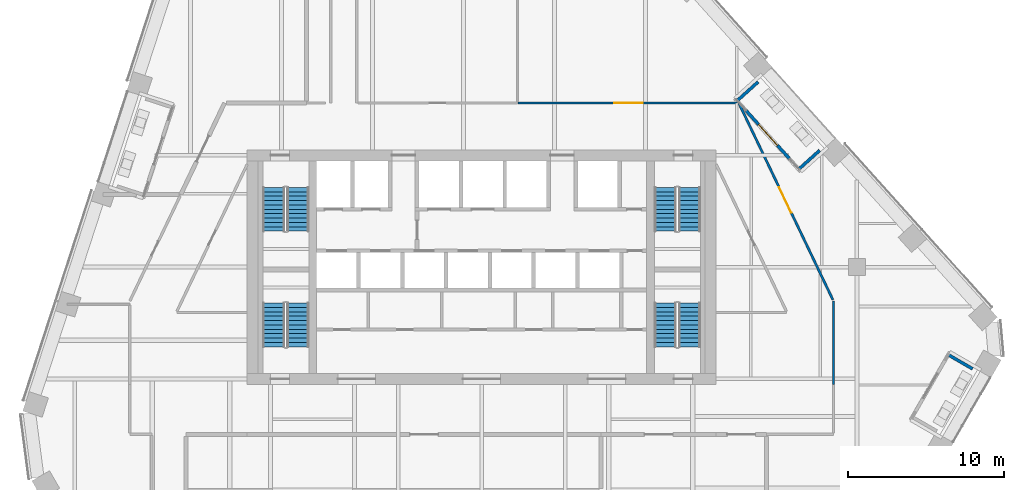
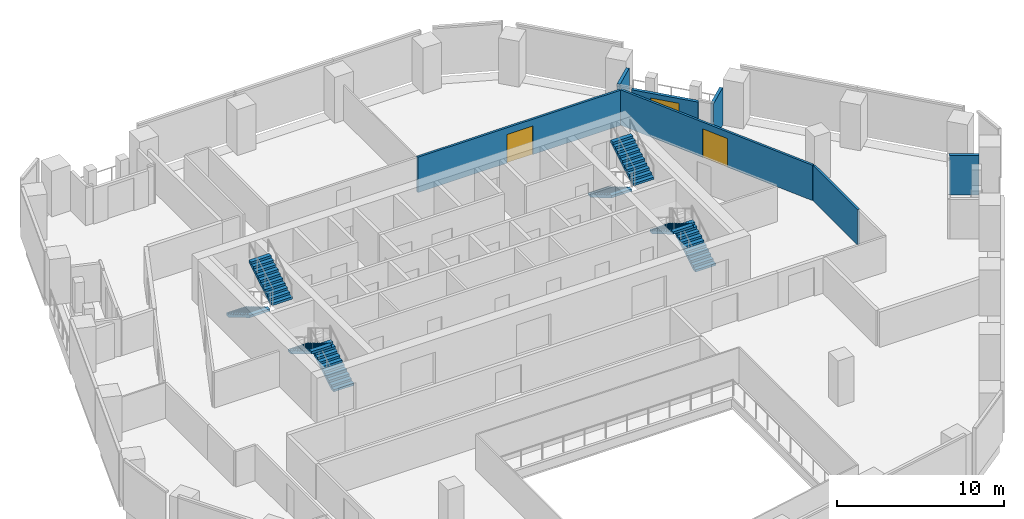
# One storey, part 22 of 26: 8 stair flights, 7 walls, 3 doors, 3 openings, 4 elements without a shape of their own.
"""IFC4 building model written with IfcOpenShell, lengths in metres."""

import ifcopenshell
import ifcopenshell.guid

model = None  # the IFC model being written
_history = None  # IfcOwnerHistory: only IFC2X3 demands one
_inside = {}  # id of a spatial element -> (the spatial element, [elements in it])
_under = {}  # id of a project, library or spatial element -> (it, [spatial elements below it])
_declared = {}  # id of a project -> (the project, [libraries it declares])
_typed = {}  # id of a type object -> (the type object, [elements of that type])
_made_of = {}  # id of a material, layer set ... -> (it, [elements and type objects made of it])


def new_model(schema):
    """Start an empty IFC model of exactly this schema.

    Asked for "IFC4X3", IfcOpenShell would pick the latest addendum, in which some entities
    have other attributes; the version numbers below select the first issue.
    IFC2X3 requires an IfcOwnerHistory on every rooted entity: one is made here for all.
    """
    global model, _history
    if schema == "IFC4X3":
        model = ifcopenshell.file(schema_version=(4, 3, 0, 0))
    else:
        model = ifcopenshell.file(schema=schema)
    _inside.clear()
    _under.clear()
    _declared.clear()
    _typed.clear()
    _made_of.clear()
    _history = None
    if model.schema == "IFC2X3":
        org = make("IfcOrganization", Name="unknown")
        user = make(
            "IfcPersonAndOrganization",
            ThePerson=make("IfcPerson", FamilyName="unknown"),
            TheOrganization=org,
        )
        app = make(
            "IfcApplication",
            ApplicationDeveloper=org,
            Version="unknown",
            ApplicationFullName="unknown",
            ApplicationIdentifier="unknown",
        )
        _history = make(
            "IfcOwnerHistory",
            OwningUser=user,
            OwningApplication=app,
            ChangeAction="ADDED",
            CreationDate=0,
        )
    return model


def make(cls, **values):
    """One entity of the class cls with the attributes given. An attribute that is None is left unset."""
    return model.create_entity(
        cls, **{name: value for name, value in values.items() if value is not None}
    )


def rooted(cls, **values):
    """An entity with a GlobalId (a new one), such as an element, a storey or a relation."""
    return make(cls, GlobalId=ifcopenshell.guid.new(), OwnerHistory=_history, **values)


def si_unit(unit_type, name, prefix=None):
    """IfcSIUnit, for example si_unit("LENGTHUNIT", "METRE", prefix="MILLI")."""
    return make("IfcSIUnit", UnitType=unit_type, Prefix=prefix, Name=name)


def assignment(units):
    """IfcUnitAssignment: the units of a project."""
    return None if units is None else make("IfcUnitAssignment", Units=units)


def point(xyz):
    """IfcCartesianPoint."""
    return None if xyz is None else make("IfcCartesianPoint", Coordinates=xyz)


def direction(xyz):
    """IfcDirection."""
    return None if xyz is None else make("IfcDirection", DirectionRatios=xyz)


def frame(location, z_axis=None, x_axis=None):
    """IfcAxis2Placement3D, a coordinate frame: its origin and axes. An axis left out is left unset."""
    return make(
        "IfcAxis2Placement3D",
        Location=point(location),
        Axis=direction(z_axis),
        RefDirection=direction(x_axis),
    )


def frame_2d(location, x_axis=None):
    """IfcAxis2Placement2D, a coordinate frame in the plane: its origin and x axis."""
    return make(
        "IfcAxis2Placement2D", Location=point(location), RefDirection=direction(x_axis)
    )


def origin():
    """The frame at (0, 0, 0) with its axes left unset."""
    return frame((0.0, 0.0, 0.0))


def place(relative_to, where):
    """IfcLocalPlacement: puts the frame where relative to a parent placement (None: the world)."""
    return make(
        "IfcLocalPlacement", PlacementRelTo=relative_to, RelativePlacement=where
    )


def context(
    kind, dimensions, precision=None, world=None, true_north=None, identifier=None
):
    """IfcGeometricRepresentationContext, for example the 3D "Model" context."""
    return make(
        "IfcGeometricRepresentationContext",
        ContextIdentifier=identifier,
        ContextType=kind,
        CoordinateSpaceDimension=dimensions,
        Precision=precision,
        WorldCoordinateSystem=world,
        TrueNorth=true_north,
    )


def subcontext(parent, identifier, kind, view, scale=None):
    """IfcGeometricRepresentationSubContext, for example "Body" below "Model"."""
    return make(
        "IfcGeometricRepresentationSubContext",
        ContextIdentifier=identifier,
        ContextType=kind,
        ParentContext=parent,
        TargetScale=scale,
        TargetView=view,
    )


def project(units=None, contexts=None):
    """IfcProject with its units and contexts."""
    return rooted(
        "IfcProject",
        Name="project",
        RepresentationContexts=contexts,
        UnitsInContext=assignment(units),
    )


def spatial(cls, under=None, at=None, **own):
    """A site, building, storey or space (cls), placed at a placement, below another one or the project."""
    s = rooted(cls, ObjectPlacement=at, **own)
    if under is not None:
        _under.setdefault(under.id(), (under, []))[1].append(s)
    return s


def polyline(points):
    """IfcPolyline through the points."""
    return make("IfcPolyline", Points=[point(p) for p in points])


def profile(cls, at=None, kind="AREA", **sizes):
    """A parametric profile (cls). Its sizes go by their IFC names, for example OverallWidth=200.0."""
    return make(cls, ProfileType=kind, Position=at, **sizes)


def rectangle(**sizes):
    """IfcRectangleProfileDef."""
    return profile("IfcRectangleProfileDef", **sizes)


def outline(outer, holes=None, kind="AREA"):
    """IfcArbitraryClosedProfileDef: a profile drawn as a closed curve; with holes, ...WithVoids."""
    if holes is None:
        return make("IfcArbitraryClosedProfileDef", ProfileType=kind, OuterCurve=outer)
    return make(
        "IfcArbitraryProfileDefWithVoids",
        ProfileType=kind,
        OuterCurve=outer,
        InnerCurves=holes,
    )


def extrude(swept, where, along, depth):
    """IfcExtrudedAreaSolid: the profile swept, set in the frame where, extruded along a direction by depth."""
    return make(
        "IfcExtrudedAreaSolid",
        SweptArea=swept,
        Position=where,
        ExtrudedDirection=direction(along),
        Depth=depth,
    )


def shape(context_of_items, identifier, shape_type, items):
    """IfcShapeRepresentation: the items that make up one representation, for example the "Body"."""
    return make(
        "IfcShapeRepresentation",
        ContextOfItems=context_of_items,
        RepresentationIdentifier=identifier,
        RepresentationType=shape_type,
        Items=items,
    )


def material(Name=None, Category=None):
    """IfcMaterial."""
    return make("IfcMaterial", Name=Name, Category=Category)


def layer(
    of_material, thickness, ventilated=None, Name=None, Category=None, Priority=None
):
    """IfcMaterialLayer: one layer of a wall or slab, of a material (None: an air gap)."""
    return make(
        "IfcMaterialLayer",
        Material=of_material,
        LayerThickness=thickness,
        IsVentilated=ventilated,
        Name=Name,
        Category=Category,
        Priority=Priority,
    )


def layer_set(layers, Name=None):
    """IfcMaterialLayerSet."""
    return make("IfcMaterialLayerSet", MaterialLayers=layers, LayerSetName=Name)


def made_of(thing, what):
    """Note that an element or type object is made of a material, layer set ...; save() writes the relation."""
    if what is not None:
        _made_of.setdefault(what.id(), (what, []))[1].append(thing)
    return thing


def type_object(cls, material=None, **own):
    """A type object (cls), such as IfcWallType, which elements share."""
    return made_of(rooted(cls, **own), material)


def element(
    cls,
    number,
    at=None,
    inside=None,
    cuts=None,
    type_object=None,
    material=None,
    context=None,
    identifier="Body",
    shape_type=None,
    held_by="IfcProductDefinitionShape",
    body=None,
    shapes=None,
    **own,
):
    """One element of the class cls, such as IfcWall. Its Tag is "e" and its number.

    at: its placement. inside: the storey or other place that contains it. cuts: it is an
    opening in that element (IfcRelVoidsElement). A single representation is given by context,
    identifier, shape_type and body (its items); several are given by shapes. held_by: the class
    of the entity that holds the representations. save() writes the other relations.
    """
    e = rooted(cls, Tag="e%d" % number, ObjectPlacement=at, **own)
    if body is not None:
        shapes = [shape(context, identifier, shape_type, body)]
    if shapes is not None:
        e.Representation = make(held_by, Representations=shapes)
    if inside is not None:
        _inside.setdefault(inside.id(), (inside, []))[1].append(e)
    if cuts is not None:
        rooted(
            "IfcRelVoidsElement", RelatingBuildingElement=cuts, RelatedOpeningElement=e
        )
    if type_object is not None:
        _typed.setdefault(type_object.id(), (type_object, []))[1].append(e)
    return made_of(e, material)


def fill(opening, filler):
    """IfcRelFillsElement: the door or window that sits in an opening."""
    return rooted(
        "IfcRelFillsElement",
        RelatingOpeningElement=opening,
        RelatedBuildingElement=filler,
    )


def aggregate(whole, parts):
    """IfcRelAggregates: a whole, such as a stair, and the parts it consists of."""
    return rooted("IfcRelAggregates", RelatingObject=whole, RelatedObjects=parts)


def save(model, path):
    """Write the relations noted so far, then the file.

    IfcRelAggregates (storeys below a building ...), IfcRelContainedInSpatialStructure (elements
    in a storey), IfcRelDefinesByType, IfcRelAssociatesMaterial and IfcRelDeclares: one each for
    every whole, place, type object, material and project.
    """
    for whole, parts in _under.values():
        aggregate(whole, parts)
    for where, things in _inside.values():
        rooted(
            "IfcRelContainedInSpatialStructure",
            RelatedElements=things,
            RelatingStructure=where,
        )
    for kind, things in _typed.values():
        rooted("IfcRelDefinesByType", RelatedObjects=things, RelatingType=kind)
    for what, things in _made_of.values():
        rooted("IfcRelAssociatesMaterial", RelatedObjects=things, RelatingMaterial=what)
    for by, libraries in _declared.values():
        rooted("IfcRelDeclares", RelatingContext=by, RelatedDefinitions=libraries)
    model.write(path)


model = new_model("IFC4")

# Units and contexts
model_context = context("Model", 3, precision=1e-05, world=origin(), true_north=direction((0.0, 1.0)))
body_context = subcontext(model_context, "Body", "Model", "MODEL_VIEW")
ifc_project = project(units=[si_unit("LENGTHUNIT", "METRE"), si_unit("AREAUNIT", "SQUARE_METRE"), si_unit("VOLUMEUNIT", "CUBIC_METRE"), si_unit("PLANEANGLEUNIT", "RADIAN"), si_unit("MASSUNIT", "GRAM", prefix="KILO")], contexts=[model_context])

# Site, building, storey
site_placement = place(None, origin())
site = spatial("IfcSite", under=ifc_project, at=site_placement, CompositionType="ELEMENT")
building_placement = place(site_placement, origin())
building = spatial("IfcBuilding", under=site, at=building_placement, Name="Isthmus Gate Tower", CompositionType="ELEMENT")
storey_placement = place(building_placement, frame((0.0, 0.0, 203.64990234375)))
storey = spatial("IfcBuildingStorey", under=building, at=storey_placement, Name="L51", CompositionType="ELEMENT", Elevation=203.64990234375)

# Wall
ifc_material_1 = material(Name="Gypsum board on steel studs, fire-rated", Category="steel")
ifc_layer_1 = layer(ifc_material_1, 0.14990234375)
ifc_layer_set_1 = layer_set([ifc_layer_1], Name="CORRIDOR WALL 150 60 MIN")
wall_type_1 = type_object("IfcWallType", Name="CORRIDOR WALL 150 60 MIN", PredefinedType="PARTITIONING", material=ifc_layer_set_1)
wall_1_placement = place(storey_placement, frame((22.5, 5.340087890625, 0.0), z_axis=(0.0, 0.0, 1.0), x_axis=(0.0, -1.0, 0.0)))
element("IfcWall", 1, at=wall_1_placement, inside=storey, type_object=wall_type_1, Name="L51 Corridor Wall 150 60 Min", PredefinedType="PARTITIONING", context=body_context, shape_type="SweptSolid", body=[
    extrude(rectangle(XDim=5.340087890625, YDim=0.14990234375, at=frame_2d((2.669921875, 0.0))), origin(), (0.0, 0.0, 1.0), 2.59130859375),
])

# Wall, opening, door
wall_2_placement = place(storey_placement, frame((2.337890625, 18.0, 0.0), z_axis=(0.0, 0.0, 1.0), x_axis=(1.0, 0.0, 0.0)))
wall_2 = element("IfcWall", 2, at=wall_2_placement, inside=storey, type_object=wall_type_1, Name="L51 Corridor Wall 150 60 Min", PredefinedType="PARTITIONING", context=body_context, shape_type="SweptSolid", body=[
    extrude(rectangle(XDim=14.02978515625, YDim=0.14990234375, at=frame_2d((7.014892578125, 0.0))), origin(), (0.0, 0.0, 1.0), 2.59130859375),
])
opening_1_placement = place(wall_2_placement, frame((6.153564453125, 0.0, 0.0)))
opening_1 = element("IfcOpeningElement", 3, at=opening_1_placement, cuts=wall_2, Name="Opening DT-T4D-03", PredefinedType="OPENING", context=body_context, shape_type="SweptSolid", body=[
    extrude(rectangle(XDim=1.800048828125, YDim=2.10009765625, at=frame_2d((0.89990234375, 1.050048828125))), frame((0.0, 0.0849609375, 0.0), z_axis=(0.0, -1.0, 0.0), x_axis=(1.0, 0.0, 0.0)), (0.0, 0.0, 1.0), 0.169921875),
])
ifc_material_2 = material(Name="Solid core timber door leaf, fire-rated", Category="wood")
door_type_1 = type_object("IfcDoorType", Name="FIRE DOOR ROOM 1800 X 2100 60 MIN", OperationType="DOUBLE_DOOR_DOUBLE_SWING", PredefinedType="DOOR", material=ifc_material_2)
door_1_placement = place(opening_1_placement, origin())
door_1 = element("IfcDoor", 4, at=door_1_placement, inside=storey, type_object=door_type_1, Name="L51 room door", OperationType="DOUBLE_DOOR_DOUBLE_SWING", OverallHeight=2.10009765625, OverallWidth=1.800048828125, PredefinedType="DOOR", context=body_context, shape_type="SweptSolid", body=[
    extrude(rectangle(XDim=1.800048828125, YDim=2.10009765625, at=frame_2d((0.89990234375, 1.050048828125))), frame((0.0, 0.02490234375, 0.0), z_axis=(0.0, -1.0, 0.0), x_axis=(1.0, 0.0, 0.0)), (0.0, 0.0, 1.0), 0.050048828125),
])
fill(opening_1, door_1)

wall_3_placement = place(storey_placement, frame((16.447509765625, 17.994384765625, 0.0), z_axis=(0.0, 0.0, 1.0), x_axis=(0.431473453182, -0.902125633822, 0.0)))
wall_3 = element("IfcWall", 5, at=wall_3_placement, inside=storey, type_object=wall_type_1, Name="L51 Corridor Wall 150 60 Min", PredefinedType="PARTITIONING", context=body_context, shape_type="SweptSolid", body=[
    extrude(rectangle(XDim=13.9521484375, YDim=0.14990234375, at=frame_2d((6.97607421875, 0.0))), origin(), (0.0, 0.0, 1.0), 2.59130859375),
])
opening_2_placement = place(wall_3_placement, frame((5.972900390625, 0.0, 0.0)))
opening_2 = element("IfcOpeningElement", 6, at=opening_2_placement, cuts=wall_3, Name="Opening DT-T4D-04", PredefinedType="OPENING", context=body_context, shape_type="SweptSolid", body=[
    extrude(rectangle(XDim=1.800048828125, YDim=2.10009765625, at=frame_2d((0.89990234375, 1.050048828125))), frame((0.0, 0.0849609375, 0.0), z_axis=(0.0, -1.0, 0.0), x_axis=(1.0, 0.0, 0.0)), (0.0, 0.0, 1.0), 0.169921875),
])
door_2_placement = place(opening_2_placement, origin())
door_2 = element("IfcDoor", 7, at=door_2_placement, inside=storey, type_object=door_type_1, Name="L51 room door", OperationType="DOUBLE_DOOR_DOUBLE_SWING", OverallHeight=2.10009765625, OverallWidth=1.800048828125, PredefinedType="DOOR", context=body_context, shape_type="SweptSolid", body=[
    extrude(rectangle(XDim=1.800048828125, YDim=2.10009765625, at=frame_2d((0.89990234375, 1.050048828125))), frame((0.0, 0.02490234375, 0.0), z_axis=(0.0, -1.0, 0.0), x_axis=(1.0, 0.0, 0.0)), (0.0, 0.0, 1.0), 0.050048828125),
])
fill(opening_2, door_2)

# Wall
ifc_material_3 = material(Name="Precast concrete C40/50", Category="concrete")
ifc_layer_2 = layer(ifc_material_3, 0.199951171875)
ifc_layer_set_2 = layer_set([ifc_layer_2], Name="LOGGIA WALL 200")
wall_type_2 = type_object("IfcWallType", Name="LOGGIA WALL 200", PredefinedType="SOLIDWALL", material=ifc_layer_set_2)
wall_4_placement = place(storey_placement, frame((31.40380859375, 0.9931640625, 0.0), z_axis=(0.0, 0.0, 1.0), x_axis=(-0.866053404088, 0.499951498915, 0.0)))
element("IfcWall", 8, at=wall_4_placement, inside=storey, type_object=wall_type_2, Name="LOGGIA SIDE WALL", PredefinedType="SOLIDWALL", context=body_context, shape_type="SweptSolid", body=[
    extrude(rectangle(XDim=1.783935546875, YDim=0.199951171875, at=frame_2d((0.89208984375, 0.0))), origin(), (0.0, 0.0, 1.0), 2.900146484375),
])

# Wall, opening, door
wall_5_placement = place(storey_placement, frame((19.721435546875, 14.395263671875, 0.0), z_axis=(0.0, 0.0, 1.0), x_axis=(-0.669170241733, 0.743109135712, 0.0)))
wall_5 = element("IfcWall", 9, at=wall_5_placement, inside=storey, type_object=wall_type_2, Name="LOGGIA BACK WALL", PredefinedType="SOLIDWALL", context=body_context, shape_type="SweptSolid", body=[
    extrude(rectangle(XDim=4.199951171875, YDim=0.199951171875, at=frame_2d((2.10009765625, 0.0))), origin(), (0.0, 0.0, 1.0), 2.746826171875),
])
opening_3_placement = place(wall_5_placement, frame((1.199951171875, 0.0, 0.0)))
opening_3 = element("IfcOpeningElement", 10, at=opening_3_placement, cuts=wall_5, Name="Opening DE51-05", PredefinedType="OPENING", context=body_context, shape_type="SweptSolid", body=[
    extrude(rectangle(XDim=1.800048828125, YDim=2.39990234375, at=frame_2d((0.89990234375, 1.199951171875))), frame((0.0, 0.10986328125, 0.0), z_axis=(0.0, -1.0, 0.0), x_axis=(1.0, 0.0, 0.0)), (0.0, 0.0, 1.0), 0.219970703125),
])
ifc_material_4 = material(Name="Aluminium, pale champagne anodised, laminated glass", Category="aluminium")
door_type_2 = type_object("IfcDoorType", Name="LOGGIA DOOR SLIDING 1800 X 2400", OperationType="DOUBLE_DOOR_SLIDING", PredefinedType="DOOR", material=ifc_material_4)
door_3_placement = place(opening_3_placement, origin())
door_3 = element("IfcDoor", 11, at=door_3_placement, inside=storey, type_object=door_type_2, Name="DOOR DE51-05", OperationType="SINGLE_SWING_LEFT", OverallHeight=2.39990234375, OverallWidth=1.800048828125, PredefinedType="DOOR", context=body_context, shape_type="SweptSolid", body=[
    extrude(rectangle(XDim=1.800048828125, YDim=2.39990234375, at=frame_2d((0.89990234375, 1.199951171875))), frame((0.0, 0.02490234375, 0.0), z_axis=(0.0, -1.0, 0.0), x_axis=(1.0, 0.0, 0.0)), (0.0, 0.0, 1.0), 0.050048828125),
])
fill(opening_3, door_3)

# Walls
wall_6_placement = place(storey_placement, frame((21.624755859375, 14.971435546875, 0.0), z_axis=(0.0, 0.0, 1.0), x_axis=(-0.743219291252, -0.669047894482, 0.0)))
element("IfcWall", 12, at=wall_6_placement, inside=storey, type_object=wall_type_2, Name="LOGGIA SIDE WALL", PredefinedType="SOLIDWALL", context=body_context, shape_type="SweptSolid", body=[
    extrude(rectangle(XDim=1.783935546875, YDim=0.199951171875, at=frame_2d((0.89208984375, 0.0))), origin(), (0.0, 0.0, 1.0), 2.746826171875),
])
wall_7_placement = place(storey_placement, frame((17.682861328125, 19.34912109375, 0.0), z_axis=(0.0, 0.0, 1.0), x_axis=(-0.743158025489, -0.66911594597, 0.0)))
element("IfcWall", 13, at=wall_7_placement, inside=storey, type_object=wall_type_2, Name="LOGGIA SIDE WALL", PredefinedType="SOLIDWALL", context=body_context, shape_type="SweptSolid", body=[
    extrude(rectangle(XDim=1.783935546875, YDim=0.199951171875, at=frame_2d((0.89208984375, 0.0))), origin(), (0.0, 0.0, 1.0), 2.900146484375),
])

# Stair, stair flights
ifc_material_5 = material(Name="Concrete f'c 40 MPa", Category="concrete")
stair_type = type_object("IfcStairType", Name="CORE STAIR 22 RISERS", PredefinedType="HALF_TURN_STAIR", material=ifc_material_5)
stair_1_placement = place(storey_placement, origin())
stair_1 = element("IfcStair", 14, at=stair_1_placement, inside=storey, type_object=stair_type, Name="L51 Exit Stair 1", PredefinedType="HALF_TURN_STAIR")
ifc_material_6 = material(Name="Concrete f'c 40 MPa", Category="concrete")
stair_flight_type = type_object("IfcStairFlightType", Name="STAIR FLIGHT RC 1400", PredefinedType="STRAIGHT", material=ifc_material_6)
stair_flight_1_placement = place(storey_placement, frame((-13.300048828125, 12.60009765625, 0.0), z_axis=(0.0, 0.0, 1.0), x_axis=(0.0, -1.0, 0.0)))
stair_flight_1 = element("IfcStairFlight", 15, at=stair_flight_1_placement, type_object=stair_flight_type, Name="ST1 flight 1", NumberOfRisers=11, NumberOfTreads=10, PredefinedType="STRAIGHT", RiserHeight=0.165909091, TreadLength=0.28, context=body_context, shape_type="SweptSolid", body=[
    extrude(outline(polyline([(0.0, 0.0), (0.0, 0.166015625), (0.280029296875, 0.166015625), (0.280029296875, 0.331787109375), (0.56005859375, 0.331787109375), (0.56005859375, 0.497802734375), (0.840087890625, 0.497802734375), (0.840087890625, 0.66357421875), (1.1201171875, 0.66357421875), (1.1201171875, 0.82958984375), (1.39990234375, 0.82958984375), (1.39990234375, 0.995361328125), (1.679931640625, 0.995361328125), (1.679931640625, 1.161376953125), (1.9599609375, 1.161376953125), (1.9599609375, 1.327392578125), (2.239990234375, 1.327392578125), (2.239990234375, 1.4931640625), (2.52001953125, 1.4931640625), (2.52001953125, 1.6591796875), (2.800048828125, 1.6591796875), (2.800048828125, 1.824951171875), (2.800048828125, 1.48486328125), (0.2939453125, 0.0), (0.0, 0.0)])), frame((0.0, 0.699951171875, 0.0), z_axis=(0.0, -1.0, 0.0), x_axis=(1.0, 0.0, 0.0)), (0.0, 0.0, 1.0), 1.39990234375),
])
stair_flight_2_placement = place(storey_placement, frame((-11.75, 9.800048828125, 1.8251953125), z_axis=(0.0, 0.0, 1.0), x_axis=(0.0, 1.0, 0.0)))
stair_flight_2 = element("IfcStairFlight", 16, at=stair_flight_2_placement, type_object=stair_flight_type, Name="ST1 flight 2", NumberOfRisers=11, NumberOfTreads=10, PredefinedType="STRAIGHT", RiserHeight=0.165909091, TreadLength=0.28, context=body_context, shape_type="SweptSolid", body=[
    extrude(outline(polyline([(0.0, 0.0), (0.0, 0.166015625), (0.280029296875, 0.166015625), (0.280029296875, 0.331787109375), (0.56005859375, 0.331787109375), (0.56005859375, 0.497802734375), (0.840087890625, 0.497802734375), (0.840087890625, 0.66357421875), (1.1201171875, 0.66357421875), (1.1201171875, 0.82958984375), (1.39990234375, 0.82958984375), (1.39990234375, 0.995361328125), (1.679931640625, 0.995361328125), (1.679931640625, 1.161376953125), (1.9599609375, 1.161376953125), (1.9599609375, 1.327392578125), (2.239990234375, 1.327392578125), (2.239990234375, 1.4931640625), (2.52001953125, 1.4931640625), (2.52001953125, 1.6591796875), (2.800048828125, 1.6591796875), (2.800048828125, 1.824951171875), (2.800048828125, 1.48486328125), (0.2939453125, 0.0), (0.0, 0.0)])), frame((0.0, 0.699951171875, 0.0), z_axis=(0.0, -1.0, 0.0), x_axis=(1.0, 0.0, 0.0)), (0.0, 0.0, 1.0), 1.39990234375),
])
aggregate(stair_1, [stair_flight_1, stair_flight_2])

stair_2_placement = place(storey_placement, origin())
stair_2 = element("IfcStair", 17, at=stair_2_placement, inside=storey, type_object=stair_type, Name="L51 Exit Stair 2", PredefinedType="HALF_TURN_STAIR")
stair_flight_3_placement = place(storey_placement, frame((11.75, 12.60009765625, 0.0), z_axis=(0.0, 0.0, 1.0), x_axis=(0.0, -1.0, 0.0)))
stair_flight_3 = element("IfcStairFlight", 18, at=stair_flight_3_placement, type_object=stair_flight_type, Name="ST2 flight 1", NumberOfRisers=11, NumberOfTreads=10, PredefinedType="STRAIGHT", RiserHeight=0.165909091, TreadLength=0.28, context=body_context, shape_type="SweptSolid", body=[
    extrude(outline(polyline([(0.0, 0.0), (0.0, 0.166015625), (0.280029296875, 0.166015625), (0.280029296875, 0.331787109375), (0.56005859375, 0.331787109375), (0.56005859375, 0.497802734375), (0.840087890625, 0.497802734375), (0.840087890625, 0.66357421875), (1.1201171875, 0.66357421875), (1.1201171875, 0.82958984375), (1.39990234375, 0.82958984375), (1.39990234375, 0.995361328125), (1.679931640625, 0.995361328125), (1.679931640625, 1.161376953125), (1.9599609375, 1.161376953125), (1.9599609375, 1.327392578125), (2.239990234375, 1.327392578125), (2.239990234375, 1.4931640625), (2.52001953125, 1.4931640625), (2.52001953125, 1.6591796875), (2.800048828125, 1.6591796875), (2.800048828125, 1.824951171875), (2.800048828125, 1.48486328125), (0.2939453125, 0.0), (0.0, 0.0)])), frame((0.0, 0.699951171875, 0.0), z_axis=(0.0, -1.0, 0.0), x_axis=(1.0, 0.0, 0.0)), (0.0, 0.0, 1.0), 1.39990234375),
])
stair_flight_4_placement = place(storey_placement, frame((13.300048828125, 9.800048828125, 1.8251953125), z_axis=(0.0, 0.0, 1.0), x_axis=(0.0, 1.0, 0.0)))
stair_flight_4 = element("IfcStairFlight", 19, at=stair_flight_4_placement, type_object=stair_flight_type, Name="ST2 flight 2", NumberOfRisers=11, NumberOfTreads=10, PredefinedType="STRAIGHT", RiserHeight=0.165909091, TreadLength=0.28, context=body_context, shape_type="SweptSolid", body=[
    extrude(outline(polyline([(0.0, 0.0), (0.0, 0.166015625), (0.280029296875, 0.166015625), (0.280029296875, 0.331787109375), (0.56005859375, 0.331787109375), (0.56005859375, 0.497802734375), (0.840087890625, 0.497802734375), (0.840087890625, 0.66357421875), (1.1201171875, 0.66357421875), (1.1201171875, 0.82958984375), (1.39990234375, 0.82958984375), (1.39990234375, 0.995361328125), (1.679931640625, 0.995361328125), (1.679931640625, 1.161376953125), (1.9599609375, 1.161376953125), (1.9599609375, 1.327392578125), (2.239990234375, 1.327392578125), (2.239990234375, 1.4931640625), (2.52001953125, 1.4931640625), (2.52001953125, 1.6591796875), (2.800048828125, 1.6591796875), (2.800048828125, 1.824951171875), (2.800048828125, 1.48486328125), (0.2939453125, 0.0), (0.0, 0.0)])), frame((0.0, 0.699951171875, 0.0), z_axis=(0.0, -1.0, 0.0), x_axis=(1.0, 0.0, 0.0)), (0.0, 0.0, 1.0), 1.39990234375),
])
aggregate(stair_2, [stair_flight_3, stair_flight_4])

stair_3_placement = place(storey_placement, origin())
stair_3 = element("IfcStair", 20, at=stair_3_placement, inside=storey, type_object=stair_type, Name="L51 Exit Stair 7", PredefinedType="HALF_TURN_STAIR")
stair_flight_5_placement = place(storey_placement, frame((-11.75, 2.39990234375, 0.0), z_axis=(0.0, 0.0, 1.0), x_axis=(0.0, 1.0, 0.0)))
stair_flight_5 = element("IfcStairFlight", 21, at=stair_flight_5_placement, type_object=stair_flight_type, Name="ST7 flight 1", NumberOfRisers=11, NumberOfTreads=10, PredefinedType="STRAIGHT", RiserHeight=0.165909091, TreadLength=0.28, context=body_context, shape_type="SweptSolid", body=[
    extrude(outline(polyline([(0.0, 0.0), (0.0, 0.166015625), (0.280029296875, 0.166015625), (0.280029296875, 0.331787109375), (0.56005859375, 0.331787109375), (0.56005859375, 0.497802734375), (0.840087890625, 0.497802734375), (0.840087890625, 0.66357421875), (1.1201171875, 0.66357421875), (1.1201171875, 0.82958984375), (1.39990234375, 0.82958984375), (1.39990234375, 0.995361328125), (1.679931640625, 0.995361328125), (1.679931640625, 1.161376953125), (1.9599609375, 1.161376953125), (1.9599609375, 1.327392578125), (2.239990234375, 1.327392578125), (2.239990234375, 1.4931640625), (2.52001953125, 1.4931640625), (2.52001953125, 1.6591796875), (2.800048828125, 1.6591796875), (2.800048828125, 1.824951171875), (2.800048828125, 1.48486328125), (0.2939453125, 0.0), (0.0, 0.0)])), frame((0.0, 0.699951171875, 0.0), z_axis=(0.0, -1.0, 0.0), x_axis=(1.0, 0.0, 0.0)), (0.0, 0.0, 1.0), 1.39990234375),
])
stair_flight_6_placement = place(storey_placement, frame((-13.300048828125, 5.199951171875, 1.8251953125), z_axis=(0.0, 0.0, 1.0), x_axis=(0.0, -1.0, 0.0)))
stair_flight_6 = element("IfcStairFlight", 22, at=stair_flight_6_placement, type_object=stair_flight_type, Name="ST7 flight 2", NumberOfRisers=11, NumberOfTreads=10, PredefinedType="STRAIGHT", RiserHeight=0.165909091, TreadLength=0.28, context=body_context, shape_type="SweptSolid", body=[
    extrude(outline(polyline([(0.0, 0.0), (0.0, 0.166015625), (0.280029296875, 0.166015625), (0.280029296875, 0.331787109375), (0.56005859375, 0.331787109375), (0.56005859375, 0.497802734375), (0.840087890625, 0.497802734375), (0.840087890625, 0.66357421875), (1.1201171875, 0.66357421875), (1.1201171875, 0.82958984375), (1.39990234375, 0.82958984375), (1.39990234375, 0.995361328125), (1.679931640625, 0.995361328125), (1.679931640625, 1.161376953125), (1.9599609375, 1.161376953125), (1.9599609375, 1.327392578125), (2.239990234375, 1.327392578125), (2.239990234375, 1.4931640625), (2.52001953125, 1.4931640625), (2.52001953125, 1.6591796875), (2.800048828125, 1.6591796875), (2.800048828125, 1.824951171875), (2.800048828125, 1.48486328125), (0.2939453125, 0.0), (0.0, 0.0)])), frame((0.0, 0.699951171875, 0.0), z_axis=(0.0, -1.0, 0.0), x_axis=(1.0, 0.0, 0.0)), (0.0, 0.0, 1.0), 1.39990234375),
])
aggregate(stair_3, [stair_flight_5, stair_flight_6])

stair_4_placement = place(storey_placement, origin())
stair_4 = element("IfcStair", 23, at=stair_4_placement, inside=storey, type_object=stair_type, Name="L51 Exit Stair 8", PredefinedType="HALF_TURN_STAIR")
stair_flight_7_placement = place(storey_placement, frame((13.300048828125, 2.39990234375, 0.0), z_axis=(0.0, 0.0, 1.0), x_axis=(0.0, 1.0, 0.0)))
stair_flight_7 = element("IfcStairFlight", 24, at=stair_flight_7_placement, type_object=stair_flight_type, Name="ST8 flight 1", NumberOfRisers=11, NumberOfTreads=10, PredefinedType="STRAIGHT", RiserHeight=0.165909091, TreadLength=0.28, context=body_context, shape_type="SweptSolid", body=[
    extrude(outline(polyline([(0.0, 0.0), (0.0, 0.166015625), (0.280029296875, 0.166015625), (0.280029296875, 0.331787109375), (0.56005859375, 0.331787109375), (0.56005859375, 0.497802734375), (0.840087890625, 0.497802734375), (0.840087890625, 0.66357421875), (1.1201171875, 0.66357421875), (1.1201171875, 0.82958984375), (1.39990234375, 0.82958984375), (1.39990234375, 0.995361328125), (1.679931640625, 0.995361328125), (1.679931640625, 1.161376953125), (1.9599609375, 1.161376953125), (1.9599609375, 1.327392578125), (2.239990234375, 1.327392578125), (2.239990234375, 1.4931640625), (2.52001953125, 1.4931640625), (2.52001953125, 1.6591796875), (2.800048828125, 1.6591796875), (2.800048828125, 1.824951171875), (2.800048828125, 1.48486328125), (0.2939453125, 0.0), (0.0, 0.0)])), frame((0.0, 0.699951171875, 0.0), z_axis=(0.0, -1.0, 0.0), x_axis=(1.0, 0.0, 0.0)), (0.0, 0.0, 1.0), 1.39990234375),
])
stair_flight_8_placement = place(storey_placement, frame((11.75, 5.199951171875, 1.8251953125), z_axis=(0.0, 0.0, 1.0), x_axis=(0.0, -1.0, 0.0)))
stair_flight_8 = element("IfcStairFlight", 25, at=stair_flight_8_placement, type_object=stair_flight_type, Name="ST8 flight 2", NumberOfRisers=11, NumberOfTreads=10, PredefinedType="STRAIGHT", RiserHeight=0.165909091, TreadLength=0.28, context=body_context, shape_type="SweptSolid", body=[
    extrude(outline(polyline([(0.0, 0.0), (0.0, 0.166015625), (0.280029296875, 0.166015625), (0.280029296875, 0.331787109375), (0.56005859375, 0.331787109375), (0.56005859375, 0.497802734375), (0.840087890625, 0.497802734375), (0.840087890625, 0.66357421875), (1.1201171875, 0.66357421875), (1.1201171875, 0.82958984375), (1.39990234375, 0.82958984375), (1.39990234375, 0.995361328125), (1.679931640625, 0.995361328125), (1.679931640625, 1.161376953125), (1.9599609375, 1.161376953125), (1.9599609375, 1.327392578125), (2.239990234375, 1.327392578125), (2.239990234375, 1.4931640625), (2.52001953125, 1.4931640625), (2.52001953125, 1.6591796875), (2.800048828125, 1.6591796875), (2.800048828125, 1.824951171875), (2.800048828125, 1.48486328125), (0.2939453125, 0.0), (0.0, 0.0)])), frame((0.0, 0.699951171875, 0.0), z_axis=(0.0, -1.0, 0.0), x_axis=(1.0, 0.0, 0.0)), (0.0, 0.0, 1.0), 1.39990234375),
])
aggregate(stair_4, [stair_flight_7, stair_flight_8])

save(model, "model.ifc")
